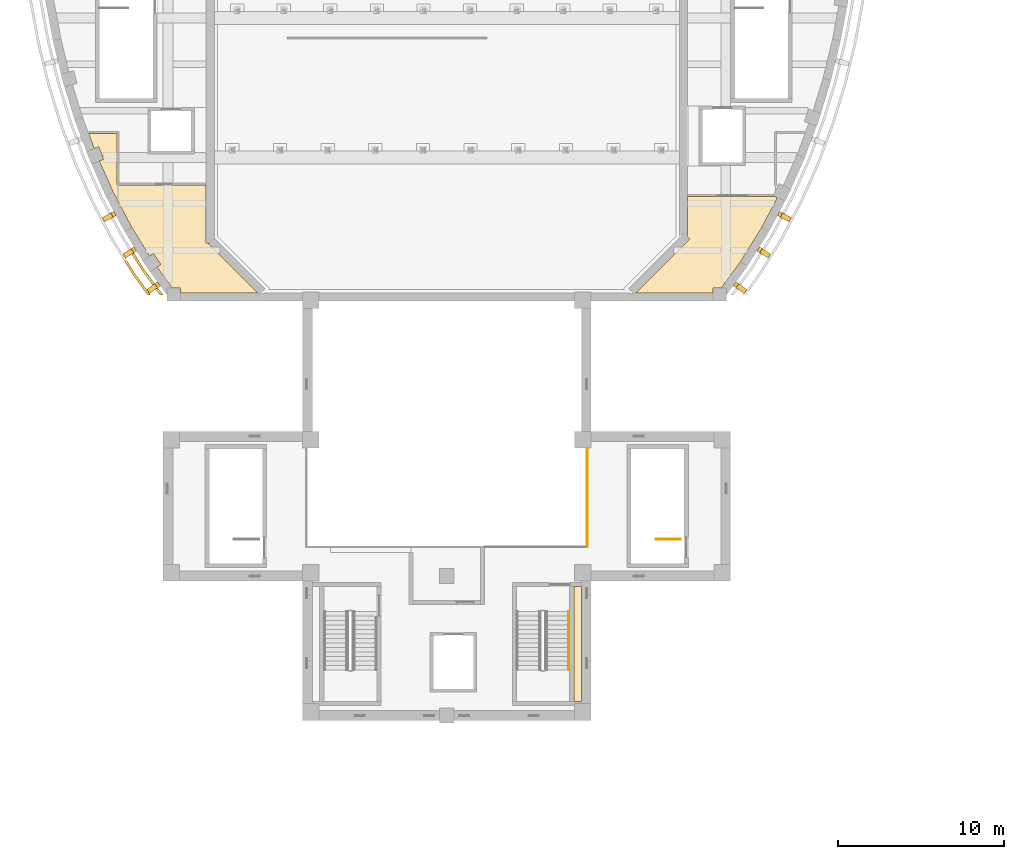
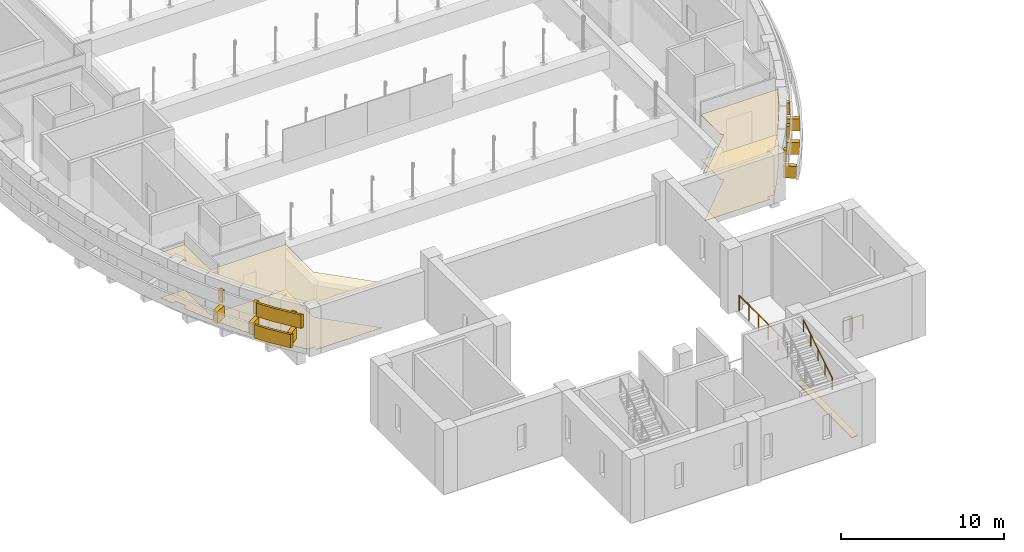
# One storey, part 43 of 47: 19 coverings, 3 railings.
"""IFC4 building model written with IfcOpenShell, lengths in metres."""

import ifcopenshell
import ifcopenshell.guid

model = None  # the IFC model being written
_history = None  # IfcOwnerHistory: only IFC2X3 demands one
_inside = {}  # id of a spatial element -> (the spatial element, [elements in it])
_under = {}  # id of a project, library or spatial element -> (it, [spatial elements below it])
_declared = {}  # id of a project -> (the project, [libraries it declares])
_typed = {}  # id of a type object -> (the type object, [elements of that type])
_made_of = {}  # id of a material, layer set ... -> (it, [elements and type objects made of it])


def new_model(schema):
    """Start an empty IFC model of exactly this schema.

    Asked for "IFC4X3", IfcOpenShell would pick the latest addendum, in which some entities
    have other attributes; the version numbers below select the first issue.
    IFC2X3 requires an IfcOwnerHistory on every rooted entity: one is made here for all.
    """
    global model, _history
    if schema == "IFC4X3":
        model = ifcopenshell.file(schema_version=(4, 3, 0, 0))
    else:
        model = ifcopenshell.file(schema=schema)
    _inside.clear()
    _under.clear()
    _declared.clear()
    _typed.clear()
    _made_of.clear()
    _history = None
    if model.schema == "IFC2X3":
        org = make("IfcOrganization", Name="unknown")
        user = make(
            "IfcPersonAndOrganization",
            ThePerson=make("IfcPerson", FamilyName="unknown"),
            TheOrganization=org,
        )
        app = make(
            "IfcApplication",
            ApplicationDeveloper=org,
            Version="unknown",
            ApplicationFullName="unknown",
            ApplicationIdentifier="unknown",
        )
        _history = make(
            "IfcOwnerHistory",
            OwningUser=user,
            OwningApplication=app,
            ChangeAction="ADDED",
            CreationDate=0,
        )
    return model


def make(cls, **values):
    """One entity of the class cls with the attributes given. An attribute that is None is left unset."""
    return model.create_entity(
        cls, **{name: value for name, value in values.items() if value is not None}
    )


def rooted(cls, **values):
    """An entity with a GlobalId (a new one), such as an element, a storey or a relation."""
    return make(cls, GlobalId=ifcopenshell.guid.new(), OwnerHistory=_history, **values)


def si_unit(unit_type, name, prefix=None):
    """IfcSIUnit, for example si_unit("LENGTHUNIT", "METRE", prefix="MILLI")."""
    return make("IfcSIUnit", UnitType=unit_type, Prefix=prefix, Name=name)


def assignment(units):
    """IfcUnitAssignment: the units of a project."""
    return None if units is None else make("IfcUnitAssignment", Units=units)


def point(xyz):
    """IfcCartesianPoint."""
    return None if xyz is None else make("IfcCartesianPoint", Coordinates=xyz)


def direction(xyz):
    """IfcDirection."""
    return None if xyz is None else make("IfcDirection", DirectionRatios=xyz)


def frame(location, z_axis=None, x_axis=None):
    """IfcAxis2Placement3D, a coordinate frame: its origin and axes. An axis left out is left unset."""
    return make(
        "IfcAxis2Placement3D",
        Location=point(location),
        Axis=direction(z_axis),
        RefDirection=direction(x_axis),
    )


def frame_2d(location, x_axis=None):
    """IfcAxis2Placement2D, a coordinate frame in the plane: its origin and x axis."""
    return make(
        "IfcAxis2Placement2D", Location=point(location), RefDirection=direction(x_axis)
    )


def origin():
    """The frame at (0, 0, 0) with its axes left unset."""
    return frame((0.0, 0.0, 0.0))


def origin_2d():
    """The frame at (0, 0) in the plane with its x axis left unset."""
    return frame_2d((0.0, 0.0))


def place(relative_to, where):
    """IfcLocalPlacement: puts the frame where relative to a parent placement (None: the world)."""
    return make(
        "IfcLocalPlacement", PlacementRelTo=relative_to, RelativePlacement=where
    )


def context(
    kind, dimensions, precision=None, world=None, true_north=None, identifier=None
):
    """IfcGeometricRepresentationContext, for example the 3D "Model" context."""
    return make(
        "IfcGeometricRepresentationContext",
        ContextIdentifier=identifier,
        ContextType=kind,
        CoordinateSpaceDimension=dimensions,
        Precision=precision,
        WorldCoordinateSystem=world,
        TrueNorth=true_north,
    )


def subcontext(parent, identifier, kind, view, scale=None):
    """IfcGeometricRepresentationSubContext, for example "Body" below "Model"."""
    return make(
        "IfcGeometricRepresentationSubContext",
        ContextIdentifier=identifier,
        ContextType=kind,
        ParentContext=parent,
        TargetScale=scale,
        TargetView=view,
    )


def project(units=None, contexts=None):
    """IfcProject with its units and contexts."""
    return rooted(
        "IfcProject",
        Name="project",
        RepresentationContexts=contexts,
        UnitsInContext=assignment(units),
    )


def spatial(cls, under=None, at=None, **own):
    """A site, building, storey or space (cls), placed at a placement, below another one or the project."""
    s = rooted(cls, ObjectPlacement=at, **own)
    if under is not None:
        _under.setdefault(under.id(), (under, []))[1].append(s)
    return s


def polyline(points):
    """IfcPolyline through the points."""
    return make("IfcPolyline", Points=[point(p) for p in points])


def profile(cls, at=None, kind="AREA", **sizes):
    """A parametric profile (cls). Its sizes go by their IFC names, for example OverallWidth=200.0."""
    return make(cls, ProfileType=kind, Position=at, **sizes)


def rectangle(**sizes):
    """IfcRectangleProfileDef."""
    return profile("IfcRectangleProfileDef", **sizes)


def circle(**sizes):
    """IfcCircleProfileDef."""
    return profile("IfcCircleProfileDef", **sizes)


def outline(outer, holes=None, kind="AREA"):
    """IfcArbitraryClosedProfileDef: a profile drawn as a closed curve; with holes, ...WithVoids."""
    if holes is None:
        return make("IfcArbitraryClosedProfileDef", ProfileType=kind, OuterCurve=outer)
    return make(
        "IfcArbitraryProfileDefWithVoids",
        ProfileType=kind,
        OuterCurve=outer,
        InnerCurves=holes,
    )


def extrude(swept, where, along, depth):
    """IfcExtrudedAreaSolid: the profile swept, set in the frame where, extruded along a direction by depth."""
    return make(
        "IfcExtrudedAreaSolid",
        SweptArea=swept,
        Position=where,
        ExtrudedDirection=direction(along),
        Depth=depth,
    )


def shape(context_of_items, identifier, shape_type, items):
    """IfcShapeRepresentation: the items that make up one representation, for example the "Body"."""
    return make(
        "IfcShapeRepresentation",
        ContextOfItems=context_of_items,
        RepresentationIdentifier=identifier,
        RepresentationType=shape_type,
        Items=items,
    )


def material(Name=None, Category=None):
    """IfcMaterial."""
    return make("IfcMaterial", Name=Name, Category=Category)


def layer(
    of_material, thickness, ventilated=None, Name=None, Category=None, Priority=None
):
    """IfcMaterialLayer: one layer of a wall or slab, of a material (None: an air gap)."""
    return make(
        "IfcMaterialLayer",
        Material=of_material,
        LayerThickness=thickness,
        IsVentilated=ventilated,
        Name=Name,
        Category=Category,
        Priority=Priority,
    )


def layer_set(layers, Name=None):
    """IfcMaterialLayerSet."""
    return make("IfcMaterialLayerSet", MaterialLayers=layers, LayerSetName=Name)


def made_of(thing, what):
    """Note that an element or type object is made of a material, layer set ...; save() writes the relation."""
    if what is not None:
        _made_of.setdefault(what.id(), (what, []))[1].append(thing)
    return thing


def type_object(cls, material=None, **own):
    """A type object (cls), such as IfcWallType, which elements share."""
    return made_of(rooted(cls, **own), material)


def element(
    cls,
    number,
    at=None,
    inside=None,
    cuts=None,
    type_object=None,
    material=None,
    context=None,
    identifier="Body",
    shape_type=None,
    held_by="IfcProductDefinitionShape",
    body=None,
    shapes=None,
    **own,
):
    """One element of the class cls, such as IfcWall. Its Tag is "e" and its number.

    at: its placement. inside: the storey or other place that contains it. cuts: it is an
    opening in that element (IfcRelVoidsElement). A single representation is given by context,
    identifier, shape_type and body (its items); several are given by shapes. held_by: the class
    of the entity that holds the representations. save() writes the other relations.
    """
    e = rooted(cls, Tag="e%d" % number, ObjectPlacement=at, **own)
    if body is not None:
        shapes = [shape(context, identifier, shape_type, body)]
    if shapes is not None:
        e.Representation = make(held_by, Representations=shapes)
    if inside is not None:
        _inside.setdefault(inside.id(), (inside, []))[1].append(e)
    if cuts is not None:
        rooted(
            "IfcRelVoidsElement", RelatingBuildingElement=cuts, RelatedOpeningElement=e
        )
    if type_object is not None:
        _typed.setdefault(type_object.id(), (type_object, []))[1].append(e)
    return made_of(e, material)


def aggregate(whole, parts):
    """IfcRelAggregates: a whole, such as a stair, and the parts it consists of."""
    return rooted("IfcRelAggregates", RelatingObject=whole, RelatedObjects=parts)


def save(model, path):
    """Write the relations noted so far, then the file.

    IfcRelAggregates (storeys below a building ...), IfcRelContainedInSpatialStructure (elements
    in a storey), IfcRelDefinesByType, IfcRelAssociatesMaterial and IfcRelDeclares: one each for
    every whole, place, type object, material and project.
    """
    for whole, parts in _under.values():
        aggregate(whole, parts)
    for where, things in _inside.values():
        rooted(
            "IfcRelContainedInSpatialStructure",
            RelatedElements=things,
            RelatingStructure=where,
        )
    for kind, things in _typed.values():
        rooted("IfcRelDefinesByType", RelatedObjects=things, RelatingType=kind)
    for what, things in _made_of.values():
        rooted("IfcRelAssociatesMaterial", RelatedObjects=things, RelatingMaterial=what)
    for by, libraries in _declared.values():
        rooted("IfcRelDeclares", RelatingContext=by, RelatedDefinitions=libraries)
    model.write(path)


model = new_model("IFC4")

# Units and contexts
model_context = context("Model", 3, precision=1e-05, world=origin(), true_north=direction((0.0, 1.0)))
body_context = subcontext(model_context, "Body", "Model", "MODEL_VIEW")
ifc_project = project(units=[si_unit("LENGTHUNIT", "METRE"), si_unit("AREAUNIT", "SQUARE_METRE"), si_unit("VOLUMEUNIT", "CUBIC_METRE"), si_unit("PLANEANGLEUNIT", "RADIAN"), si_unit("MASSUNIT", "GRAM", prefix="KILO")], contexts=[model_context])

# Site, building, storey
site_placement = place(None, origin())
site = spatial("IfcSite", under=ifc_project, at=site_placement, CompositionType="ELEMENT")
building_placement = place(site_placement, origin())
building = spatial("IfcBuilding", under=site, at=building_placement, Name="Larchfold Concert Hall", CompositionType="ELEMENT")
storey_placement = place(building_placement, frame((0.0, 0.0, 24.0)))
storey = spatial("IfcBuildingStorey", under=building, at=storey_placement, Name="L05", CompositionType="ELEMENT", Elevation=24.0)

# Coverings
ifc_material_1 = material(Name="Plasterboard ceiling lining")
ifc_layer_1 = layer(ifc_material_1, 0.030029296875)
ifc_layer_set_1 = layer_set([ifc_layer_1], Name="Plasterboard ceiling lining")
covering_type_1 = type_object("IfcCoveringType", Name="Ceiling suspended plasterboard 30", PredefinedType="CEILING", material=ifc_layer_set_1)
covering_1_placement = place(storey_placement, frame((0.0, 0.0, 3.3701171875)))
element("IfcCovering", 1, at=covering_1_placement, inside=storey, type_object=covering_type_1, Name="Ceiling Lighting Workshop", PredefinedType="CEILING", context=body_context, shape_type="SweptSolid", body=[
    extrude(outline(polyline([(57.098388671875, 63.048583984375), (57.0859375, 63.035888671875), (57.23779296875, 62.884033203125), (54.003662109375, 59.64990234375), (58.647216796875, 59.64990234375), (58.647216796875, 59.94970703125), (59.139892578125, 59.94970703125), (60.286376953125, 61.515380859375), (61.56884765625, 63.580078125), (62.516357421875, 65.376953125), (62.373291015625, 65.4462890625), (62.373291015625, 65.4384765625), (57.10009765625, 65.4375), (57.10009765625, 65.5), (57.098388671875, 63.048583984375)])), origin(), (0.0, 0.0, 1.0), 0.030029296875),
])
covering_2_placement = place(storey_placement, frame((0.0, 0.0, 3.3701171875)))
element("IfcCovering", 2, at=covering_2_placement, inside=storey, type_object=covering_type_1, Name="Ceiling Spotlight Room", PredefinedType="CEILING", context=body_context, shape_type="SweptSolid", body=[
    extrude(outline(polyline([(22.800048828125, 69.237548828125), (21.029541015625, 69.237548828125), (21.367919921875, 68.328369140625), (21.63427734375, 68.43701171875), (21.936279296875, 67.696044921875), (21.670166015625, 67.587646484375), (22.498291015625, 65.728759765625), (23.632080078125, 63.57861328125), (24.702880859375, 61.855224609375), (24.93896484375, 62.014404296875), (25.385986328125, 61.35107421875), (25.150390625, 61.1923828125), (26.060302734375, 59.94970703125), (26.552978515625, 59.94970703125), (26.552978515625, 59.64990234375), (31.196533203125, 59.64990234375), (28.24609375, 62.600341796875), (28.29443359375, 62.648681640625), (28.10009765625, 62.648681640625), (28.10009765625, 66.137451171875), (22.74365234375, 66.13818359375), (22.737548828125, 69.2373046875), (22.800048828125, 69.237548828125)])), origin(), (0.0, 0.0, 1.0), 0.030029296875),
])
ifc_material_2 = material(Name="Polished terrazzo")
ifc_layer_2 = layer(ifc_material_2, 0.0400390625)
ifc_layer_set_2 = layer_set([ifc_layer_2], Name="Polished terrazzo")
covering_type_2 = type_object("IfcCoveringType", Name="Floor finish terrazzo 40", PredefinedType="FLOORING", material=ifc_layer_set_2)
covering_3_placement = place(storey_placement, origin())
element("IfcCovering", 3, at=covering_3_placement, inside=storey, type_object=covering_type_2, Name="Floor finish Fly Gallery Walkway 01", PredefinedType="FLOORING", context=body_context, shape_type="SweptSolid", body=[
    extrude(outline(polyline([(50.25, 35.050048828125), (50.699951171875, 35.050048828125), (50.699951171875, 41.949951171875), (50.25, 41.949951171875), (50.25, 35.050048828125)])), origin(), (0.0, 0.0, 1.0), 0.0400390625),
])
ifc_material_3 = material(Name="Linoleum sheet")
ifc_layer_3 = layer(ifc_material_3, 0.02001953125)
ifc_layer_set_3 = layer_set([ifc_layer_3], Name="Linoleum sheet")
covering_type_3 = type_object("IfcCoveringType", Name="Floor finish vinyl 20", PredefinedType="FLOORING", material=ifc_layer_set_3)
covering_4_placement = place(storey_placement, origin())
element("IfcCovering", 4, at=covering_4_placement, inside=storey, type_object=covering_type_3, Name="Floor finish Lighting Workshop", PredefinedType="FLOORING", context=body_context, shape_type="SweptSolid", body=[
    extrude(outline(polyline([(57.098388671875, 63.048583984375), (57.0859375, 63.035888671875), (57.23779296875, 62.884033203125), (54.003662109375, 59.64990234375), (58.647216796875, 59.64990234375), (58.647216796875, 59.94970703125), (59.139892578125, 59.94970703125), (60.286376953125, 61.515380859375), (61.56884765625, 63.580078125), (62.516357421875, 65.376953125), (62.373291015625, 65.4462890625), (62.373291015625, 65.4384765625), (57.10009765625, 65.4375), (57.10009765625, 65.5), (57.098388671875, 63.048583984375)])), origin(), (0.0, 0.0, 1.0), 0.02001953125),
])
covering_5_placement = place(storey_placement, origin())
element("IfcCovering", 5, at=covering_5_placement, inside=storey, type_object=covering_type_3, Name="Floor finish Spotlight Room", PredefinedType="FLOORING", context=body_context, shape_type="SweptSolid", body=[
    extrude(outline(polyline([(22.800048828125, 69.237548828125), (21.029541015625, 69.237548828125), (21.367919921875, 68.328369140625), (21.63427734375, 68.43701171875), (21.936279296875, 67.696044921875), (21.670166015625, 67.587646484375), (22.498291015625, 65.728759765625), (23.632080078125, 63.57861328125), (24.702880859375, 61.855224609375), (24.93896484375, 62.014404296875), (25.385986328125, 61.35107421875), (25.150390625, 61.1923828125), (26.060302734375, 59.94970703125), (26.552978515625, 59.94970703125), (26.552978515625, 59.64990234375), (31.196533203125, 59.64990234375), (28.24609375, 62.600341796875), (28.29443359375, 62.648681640625), (28.10009765625, 62.648681640625), (28.10009765625, 66.137451171875), (22.74365234375, 66.13818359375), (22.737548828125, 69.2373046875), (22.800048828125, 69.237548828125)])), origin(), (0.0, 0.0, 1.0), 0.02001953125),
])

# Railing
ifc_material_4 = material(Name="Stainless steel balustrade", Category="steel")
railing_type_1 = type_object("IfcRailingType", Name="Fly tower guard 1200", PredefinedType="GUARDRAIL", material=ifc_material_4)
railing_1_placement = place(storey_placement, frame((51.06005859375, 44.33984375, 0.0)))
element("IfcRailing", 6, at=railing_1_placement, inside=storey, type_object=railing_type_1, Name="Guard GR0024", PredefinedType="GUARDRAIL", context=body_context, shape_type="SweptSolid", body=[
    extrude(circle(Radius=0.02392578125, at=origin_2d()), frame((0.0, 0.0, 1.17578125), z_axis=(0.0, 1.0, 0.0), x_axis=(-1.0, 0.0, 0.0)), (0.0, 0.0, 1.0), 5.920166015625),
    extrude(circle(Radius=0.02099609375, at=origin_2d()), origin(), (0.0, 0.0, 1.0), 1.15185546875),
    extrude(circle(Radius=0.02099609375, at=origin_2d()), frame((0.0, 1.18408203125, 0.0)), (0.0, 0.0, 1.0), 1.15185546875),
    extrude(circle(Radius=0.02099609375, at=origin_2d()), frame((0.0, 2.3681640625, 0.0)), (0.0, 0.0, 1.0), 1.15185546875),
    extrude(circle(Radius=0.02099609375, at=origin_2d()), frame((0.0, 3.552001953125, 0.0)), (0.0, 0.0, 1.0), 1.15185546875),
    extrude(circle(Radius=0.02099609375, at=origin_2d()), frame((0.0, 4.736083984375, 0.0)), (0.0, 0.0, 1.0), 1.15185546875),
    extrude(circle(Radius=0.02099609375, at=origin_2d()), frame((0.0, 5.920166015625, 0.0)), (0.0, 0.0, 1.0), 1.15185546875),
])

# Coverings
ifc_material_5 = material(Name="Powder-coated orange aluminium", Category="aluminium")
ifc_layer_4 = layer(ifc_material_5, 0.14990234375)
ifc_layer_set_4 = layer_set([ifc_layer_4], Name="Powder-coated orange aluminium")
covering_type_4 = type_object("IfcCoveringType", Name="Orange aluminium ring cladding", PredefinedType="CLADDING", material=ifc_layer_set_4)
covering_6_placement = place(storey_placement, frame((0.0, 0.0, 0.89990234375)))
element("IfcCovering", 7, at=covering_6_placement, inside=storey, type_object=covering_type_4, Name="Ring band R12d", PredefinedType="CLADDING", context=body_context, shape_type="SweptSolid", body=[
    extrude(outline(polyline([(23.32080078125, 61.61669921875), (23.21923828125, 61.495849609375), (23.71142578125, 60.70361328125), (24.592529296875, 59.5), (24.778564453125, 59.5), (23.835693359375, 60.78759765625), (23.32080078125, 61.61669921875)])), origin(), (0.0, 0.0, 1.0), 1.0),
])
covering_7_placement = place(storey_placement, frame((0.0, 0.0, 2.10009765625)))
element("IfcCovering", 8, at=covering_7_placement, inside=storey, type_object=covering_type_4, Name="Ring band R13d", PredefinedType="CLADDING", context=body_context, shape_type="SweptSolid", body=[
    extrude(outline(polyline([(23.726806640625, 62.099853515625), (23.625244140625, 61.97900390625), (24.208984375, 61.03955078125), (25.336181640625, 59.5), (25.522216796875, 59.5), (24.33349609375, 61.12353515625), (23.726806640625, 62.099853515625)])), origin(), (0.0, 0.0, 1.0), 1.0),
])
ifc_material_6 = material(Name="Galvanised steel bracket", Category="steel")
ifc_layer_5 = layer(ifc_material_6, 0.300048828125)
ifc_layer_set_5 = layer_set([ifc_layer_5], Name="Galvanised steel bracket")
covering_type_5 = type_object("IfcCoveringType", Name="Ring support bracket", PredefinedType="CLADDING", material=ifc_layer_set_5)
for number, where, z_axis, x_axis, name in (
    (9, (22.268310546875, 64.235107421875, 0.949951171875), (0.0, 0.0, 1.0), (-0.884535681061, -0.466472538238, 0.0), "Ring bracket BR-R12-24"),
    (10, (23.508544921875, 62.072265625, 0.949951171875), (0.0, 0.0, 1.0), (-0.849390839977, -0.527764342263, 0.0), "Ring bracket BR-R12-25"),
    (11, (24.939453125, 59.957275390625, 0.949951171875), (0.0, 0.0, 1.0), (-0.80684915404, -0.590757515927, 0.0), "Ring bracket BR-R12-26"),
    (12, (60.2607421875, 59.957275390625, 0.949951171875), (0.0, 0.0, 1.0), (0.80684915404, -0.590757515927, 0.0), "Ring bracket BR-R12-27"),
    (13, (61.691650390625, 62.072265625, 0.949951171875), (0.0, 0.0, 1.0), (0.849390839977, -0.527764342263, 0.0), "Ring bracket BR-R12-28"),
    (14, (62.931884765625, 64.235107421875, 0.949951171875), (0.0, 0.0, 1.0), (0.884535681061, -0.466472538238, 0.0), "Ring bracket BR-R12-29"),
):
    element("IfcCovering", number, at=place(storey_placement, frame(where, z_axis=z_axis, x_axis=x_axis)), inside=storey, type_object=covering_type_5, Name=name, PredefinedType="CLADDING", context=body_context, shape_type="SweptSolid", body=[
        extrude(rectangle(XDim=0.800048828125, YDim=0.300048828125, at=origin_2d()), origin(), (0.0, 0.0, 1.0), 0.89990234375),
    ])
for number, where, z_axis, x_axis, name in (
    (15, (22.53369140625, 64.375, 2.150146484375), (0.0, 0.0, 1.0), (-0.884535681061, -0.466472538238, 0.0), "Ring bracket BR-R13-24"),
    (16, (23.763427734375, 62.23046875, 2.150146484375), (0.0, 0.0, 1.0), (-0.849390839977, -0.527764342263, 0.0), "Ring bracket BR-R13-25"),
    (17, (25.18212890625, 60.1337890625, 2.150146484375), (0.0, 0.0, 1.0), (-0.80684915404, -0.590757515927, 0.0), "Ring bracket BR-R13-26"),
    (18, (60.01806640625, 60.1337890625, 2.150146484375), (0.0, 0.0, 1.0), (0.80684915404, -0.590757515927, 0.0), "Ring bracket BR-R13-27"),
    (19, (61.436767578125, 62.23046875, 2.150146484375), (0.0, 0.0, 1.0), (0.849390839977, -0.527764342263, 0.0), "Ring bracket BR-R13-28"),
    (20, (62.66650390625, 64.375, 2.150146484375), (0.0, 0.0, 1.0), (0.884535681061, -0.466472538238, 0.0), "Ring bracket BR-R13-29"),
):
    element("IfcCovering", number, at=place(storey_placement, frame(where, z_axis=z_axis, x_axis=x_axis)), inside=storey, type_object=covering_type_5, Name=name, PredefinedType="CLADDING", context=body_context, shape_type="SweptSolid", body=[
        extrude(rectangle(XDim=0.199951171875, YDim=0.300048828125, at=origin_2d()), origin(), (0.0, 0.0, 1.0), 0.89990234375),
    ])

# Railings
ifc_material_7 = material(Name="Stainless steel balustrade", Category="steel")
railing_type_2 = type_object("IfcRailingType", Name="Stair guard 1100", PredefinedType="GUARDRAIL", material=ifc_material_7)
railing_2_placement = place(storey_placement, frame((56.6748046875, 44.800048828125, 0.0)))
element("IfcRailing", 21, at=railing_2_placement, inside=storey, type_object=railing_type_2, Name="Guard GR0012", PredefinedType="GUARDRAIL", context=body_context, shape_type="SweptSolid", body=[
    extrude(circle(Radius=0.02392578125, at=origin_2d()), frame((0.0, 0.0, 1.076171875), z_axis=(-1.0, 0.0, 0.0), x_axis=(0.0, -1.0, 0.0)), (0.0, 0.0, 1.0), 1.474853515625),
    extrude(circle(Radius=0.02099609375, at=origin_2d()), origin(), (0.0, 0.0, 1.0), 1.052001953125),
    extrude(circle(Radius=0.02099609375, at=origin_2d()), frame((-0.7373046875, 0.0, 0.0)), (0.0, 0.0, 1.0), 1.052001953125),
    extrude(circle(Radius=0.02099609375, at=origin_2d()), frame((-1.474853515625, 0.0, 0.0)), (0.0, 0.0, 1.0), 1.052001953125),
])
ifc_material_8 = material(Name="Stainless steel handrail", Category="steel")
railing_type_3 = type_object("IfcRailingType", Name="Stair handrail 900", PredefinedType="HANDRAIL", material=ifc_material_8)
railing_3_placement = place(storey_placement, frame((49.949951171875, 36.93994140625, 2.571533203125)))
element("IfcRailing", 22, at=railing_3_placement, inside=storey, type_object=railing_type_3, Name="Handrail HR0006", PredefinedType="HANDRAIL", context=body_context, shape_type="SweptSolid", body=[
    extrude(circle(Radius=0.02392578125, at=origin_2d()), frame((0.0, 0.0, 0.8759765625), z_axis=(0.0, 0.844219563411, 0.53599750816), x_axis=(-1.0, 0.0, 0.0)), (0.0, 0.0, 1.0), 4.15771484375),
    extrude(circle(Radius=0.02099609375, at=origin_2d()), origin(), (0.0, 0.0, 1.0), 0.851806640625),
    extrude(circle(Radius=0.02099609375, at=origin_2d()), frame((0.0, 0.87744140625, 0.55712890625)), (0.0, 0.0, 1.0), 0.851806640625),
    extrude(circle(Radius=0.02099609375, at=origin_2d()), frame((0.0, 1.7548828125, 1.1142578125)), (0.0, 0.0, 1.0), 0.851806640625),
    extrude(circle(Radius=0.02099609375, at=origin_2d()), frame((0.0, 2.632568359375, 1.67138671875)), (0.0, 0.0, 1.0), 0.851806640625),
    extrude(circle(Radius=0.02099609375, at=origin_2d()), frame((0.0, 3.510009765625, 2.228515625)), (0.0, 0.0, 1.0), 0.851806640625),
])

save(model, "model.ifc")
